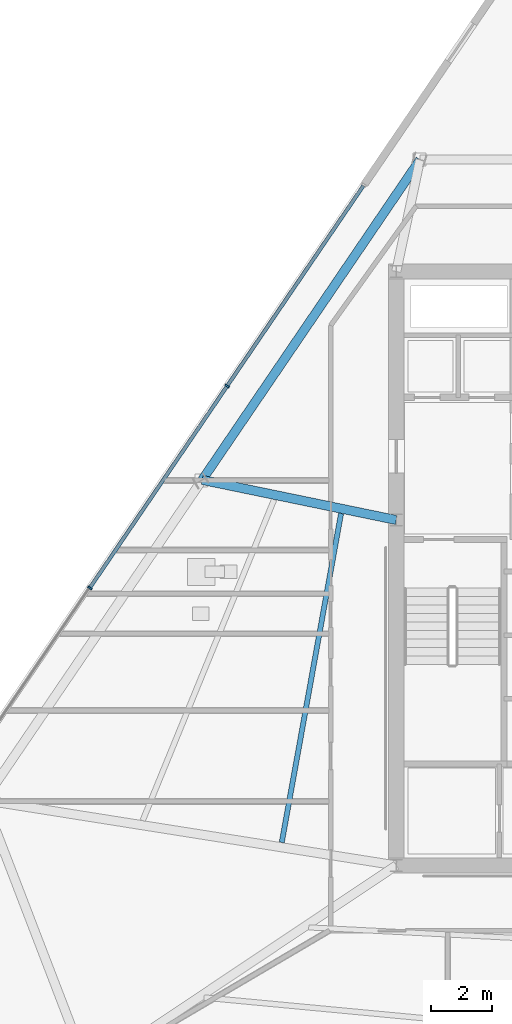
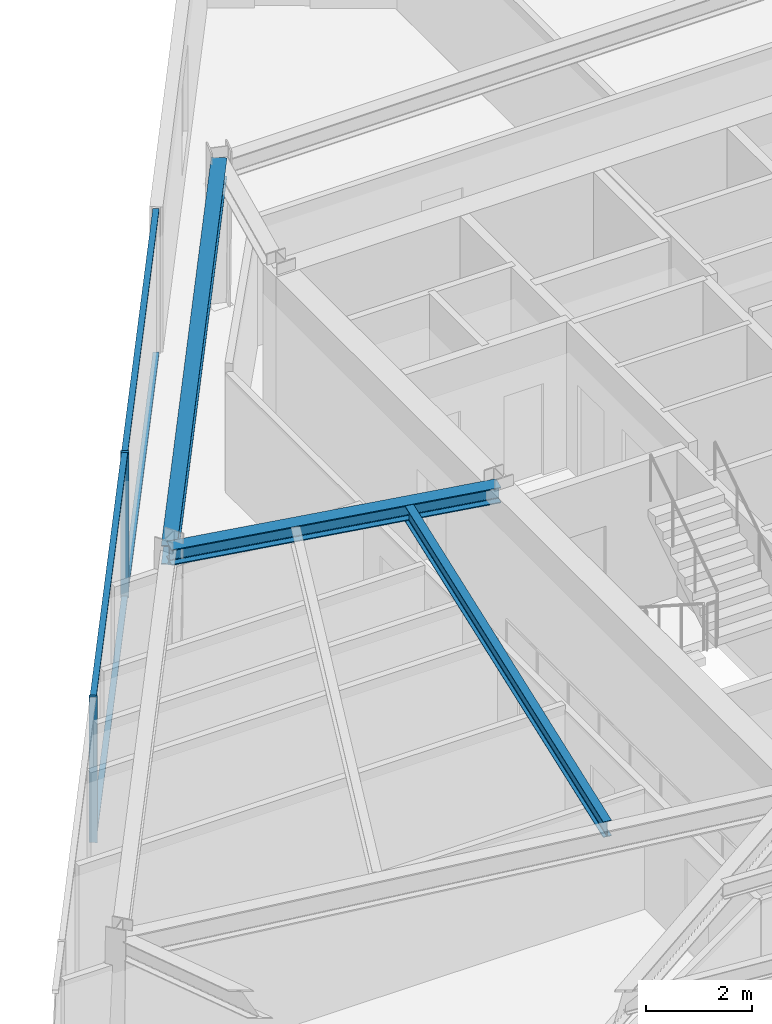
# One storey, part 4 of 16: 6 members, 3 beams, 1 element without a shape of its own.
"""IFC4 building model written with IfcOpenShell, lengths in metres."""

from ifc_helpers import new_model, si_unit, direction, frame, origin, origin_2d, place, context, subcontext, project, spatial, rectangle, i_section, extrude, material, material_profile, profile_set, type_object, element, aggregate, save


model = new_model("IFC4")

# Units and contexts
model_context = context("Model", 3, precision=1e-05, world=origin(), true_north=direction((0.0, 1.0)))
body_context = subcontext(model_context, "Body", "Model", "MODEL_VIEW")
ifc_project = project(units=[si_unit("LENGTHUNIT", "METRE"), si_unit("AREAUNIT", "SQUARE_METRE"), si_unit("VOLUMEUNIT", "CUBIC_METRE"), si_unit("PLANEANGLEUNIT", "RADIAN"), si_unit("MASSUNIT", "GRAM", prefix="KILO")], contexts=[model_context])

# Site, building, storey
site_placement = place(None, origin())
site = spatial("IfcSite", under=ifc_project, at=site_placement, CompositionType="ELEMENT")
building_placement = place(site_placement, origin())
building = spatial("IfcBuilding", under=site, at=building_placement, Name="Savorim Split Tower", CompositionType="ELEMENT")
storey_placement = place(building_placement, frame((0.0, 0.0, 149.39990234375)))
storey = spatial("IfcBuildingStorey", under=building, at=storey_placement, Name="L39", CompositionType="ELEMENT", Elevation=149.39990234375)

# Beams
ifc_material_1 = material(Name="Steel S355", Category="steel")
ifc_material_profile_1 = material_profile(ifc_material_1, i_section(OverallWidth=0.169921875, OverallDepth=0.360107421875, WebThickness=0.008056640625, FlangeThickness=0.0126953125, FilletRadius=0.01806640625, at=origin_2d()), Name="IPE 360")
ifc_profile_set_1 = profile_set([ifc_material_profile_1], Name="Steel S355")
beam_type_1 = type_object("IfcBeamType", Name="BM-JST-IPE360", PredefinedType="JOIST", material=ifc_profile_set_1)
beam_1_placement = place(storey_placement, frame((-9.521484375, 2.212646484375, 3.170166015625), z_axis=(-0.177406472498, -0.984137664921, 0.0), x_axis=(0.984137664921, -0.177406472498, 0.0)))
element("IfcBeam", 1, at=beam_1_placement, inside=storey, type_object=beam_type_1, Name="L39 Secondary Floor Joist JS-11", PredefinedType="JOIST", context=body_context, shape_type="SweptSolid", body=[
    extrude(i_section(OverallWidth=0.169921875, OverallDepth=0.360107421875, WebThickness=0.008056640625, FlangeThickness=0.0126953125, FilletRadius=0.01806640625, at=origin_2d()), origin(), (0.0, 0.0, 1.0), 11.027099609375),
])
ifc_material_profile_2 = material_profile(ifc_material_1, i_section(OverallWidth=0.300048828125, OverallDepth=0.360107421875, WebThickness=0.012451171875, FlangeThickness=0.0224609375, FilletRadius=0.027099609375, at=origin_2d()), Name="HEB 360")
ifc_profile_set_2 = profile_set([ifc_material_profile_2], Name="Steel S355")
beam_type_2 = type_object("IfcBeamType", Name="BM-PRI-HEB360", PredefinedType="BEAM", material=ifc_profile_set_2)
beam_2_placement = place(storey_placement, frame((-14.10400390625, 3.32177734375, 3.170166015625), z_axis=(0.979357371891, -0.202136434426, 0.0), x_axis=(0.202136434426, 0.979357371891, 0.0)))
element("IfcBeam", 2, at=beam_2_placement, inside=storey, type_object=beam_type_2, Name="L39 Primary Floor Girder RG-09", PredefinedType="BEAM", context=body_context, shape_type="SweptSolid", body=[
    extrude(i_section(OverallWidth=0.300048828125, OverallDepth=0.360107421875, WebThickness=0.012451171875, FlangeThickness=0.0224609375, FilletRadius=0.027099609375, at=origin_2d()), origin(), (0.0, 0.0, 1.0), 6.5390625),
])
ifc_material_profile_3 = material_profile(ifc_material_1, i_section(OverallWidth=0.300048828125, OverallDepth=0.43994140625, WebThickness=0.011474609375, FlangeThickness=0.02099609375, FilletRadius=0.027099609375, at=origin_2d()), Name="HEA 450")
ifc_profile_set_3 = profile_set([ifc_material_profile_3], Name="Steel S355")
beam_type_3 = type_object("IfcBeamType", Name="BM-SPN-HEA450", PredefinedType="SPANDREL", material=ifc_profile_set_3)
beam_3_placement = place(storey_placement, frame((-6.91455078125, 13.89013671875, 3.130126953125), z_axis=(-0.562468832814, -0.826818488008, 0.0), x_axis=(0.826818488008, -0.562468832814, 0.0)))
element("IfcBeam", 3, at=beam_3_placement, inside=storey, type_object=beam_type_3, Name="L39 Perimeter Spandrel Beam 8", PredefinedType="SPANDREL", context=body_context, shape_type="SweptSolid", body=[
    extrude(i_section(OverallWidth=0.300048828125, OverallDepth=0.43994140625, WebThickness=0.011474609375, FlangeThickness=0.02099609375, FilletRadius=0.027099609375, at=origin_2d()), origin(), (0.0, 0.0, 1.0), 12.781982421875),
])

# Curtain wall, members
ifc_material_2 = material(Name="Dark Ceramic-Fritted Insulated Glass", Category="glass")
curtain_wall_type = type_object("IfcCurtainWallType", Name="CW-TWR-FRIT-B", PredefinedType="NOTDEFINED", material=ifc_material_2)
curtain_wall_placement = place(storey_placement, origin())
curtain_wall = element("IfcCurtainWall", 4, at=curtain_wall_placement, inside=storey, type_object=curtain_wall_type, Name="L39 Curtain Wall CW-L39-WEST", PredefinedType="NOTDEFINED")
ifc_material_3 = material(Name="Charcoal Anodised Aluminium", Category="aluminium")
ifc_material_profile_4 = material_profile(ifc_material_3, rectangle(XDim=0.159912109375, YDim=0.06005859375, at=origin_2d()), Name="ALU-M 160x60")
ifc_profile_set_4 = profile_set([ifc_material_profile_4], Name="Charcoal Anodised Aluminium")
member_type_1 = type_object("IfcMemberType", Name="CWM-160x60", PredefinedType="MULLION", material=ifc_profile_set_4)
member_1_placement = place(storey_placement, frame((-13.281494140625, 6.42041015625, 0.0), z_axis=(0.0, 0.0, 1.0), x_axis=(0.826820104662, -0.562466456356, 0.0)))
member_1 = element("IfcMember", 5, at=member_1_placement, type_object=member_type_1, Name="CW-03 mullion 2", PredefinedType="MULLION", context=body_context, shape_type="SweptSolid", body=[
    extrude(rectangle(XDim=0.159912109375, YDim=0.06005859375, at=origin_2d()), origin(), (0.0, 0.0, 1.0), 3.35009765625),
])
member_2_placement = place(storey_placement, frame((-17.8125, -0.240234375, 0.0), z_axis=(0.0, 0.0, 1.0), x_axis=(0.826820104662, -0.562466456356, 0.0)))
member_2 = element("IfcMember", 6, at=member_2_placement, type_object=member_type_1, Name="CW-03 mullion 3", PredefinedType="MULLION", context=body_context, shape_type="SweptSolid", body=[
    extrude(rectangle(XDim=0.159912109375, YDim=0.06005859375, at=origin_2d()), origin(), (0.0, 0.0, 1.0), 3.35009765625),
])
ifc_material_profile_5 = material_profile(ifc_material_3, rectangle(XDim=0.1201171875, YDim=0.050048828125, at=origin_2d()), Name="ALU-T 120x50")
ifc_profile_set_5 = profile_set([ifc_material_profile_5], Name="Charcoal Anodised Aluminium")
member_type_2 = type_object("IfcMemberType", Name="CWT-120x50", PredefinedType="USERDEFINED", material=ifc_profile_set_5)
member_3_placement = place(storey_placement, frame((-8.7841796875, 13.03125, 0.025146484375), z_axis=(-0.562470130004, -0.826817605554, 0.0), x_axis=(0.826817605554, -0.562470130004, 0.0)))
member_3 = element("IfcMember", 7, at=member_3_placement, type_object=member_type_2, Name="CW-03 transom 1.1", ObjectType="TRANSOM", PredefinedType="USERDEFINED", context=body_context, shape_type="SweptSolid", body=[
    extrude(rectangle(XDim=0.1201171875, YDim=0.050048828125, at=origin_2d()), origin(), (0.0, 0.0, 1.0), 7.9658203125),
])
member_4_placement = place(storey_placement, frame((-8.7841796875, 13.03125, 3.3251953125), z_axis=(-0.562470130004, -0.826817605554, 0.0), x_axis=(0.826817605554, -0.562470130004, 0.0)))
member_4 = element("IfcMember", 8, at=member_4_placement, type_object=member_type_2, Name="CW-03 transom 1.2", ObjectType="TRANSOM", PredefinedType="USERDEFINED", context=body_context, shape_type="SweptSolid", body=[
    extrude(rectangle(XDim=0.1201171875, YDim=0.050048828125, at=origin_2d()), origin(), (0.0, 0.0, 1.0), 7.9658203125),
])
member_5_placement = place(storey_placement, frame((-13.29833984375, 6.3955078125, 0.025146484375), z_axis=(-0.562476212663, -0.82681346759, 0.0), x_axis=(0.82681346759, -0.562476212663, 0.0)))
member_5 = element("IfcMember", 9, at=member_5_placement, type_object=member_type_2, Name="CW-03 transom 2.1", ObjectType="TRANSOM", PredefinedType="USERDEFINED", context=body_context, shape_type="SweptSolid", body=[
    extrude(rectangle(XDim=0.1201171875, YDim=0.050048828125, at=origin_2d()), origin(), (0.0, 0.0, 1.0), 7.99560546875),
])
member_6_placement = place(storey_placement, frame((-13.29833984375, 6.3955078125, 3.3251953125), z_axis=(-0.562476212663, -0.82681346759, 0.0), x_axis=(0.82681346759, -0.562476212663, 0.0)))
member_6 = element("IfcMember", 10, at=member_6_placement, type_object=member_type_2, Name="CW-03 transom 2.2", ObjectType="TRANSOM", PredefinedType="USERDEFINED", context=body_context, shape_type="SweptSolid", body=[
    extrude(rectangle(XDim=0.1201171875, YDim=0.050048828125, at=origin_2d()), origin(), (0.0, 0.0, 1.0), 7.99560546875),
])
aggregate(curtain_wall, [member_1, member_2, member_3, member_4, member_5, member_6])

save(model, "model.ifc")
